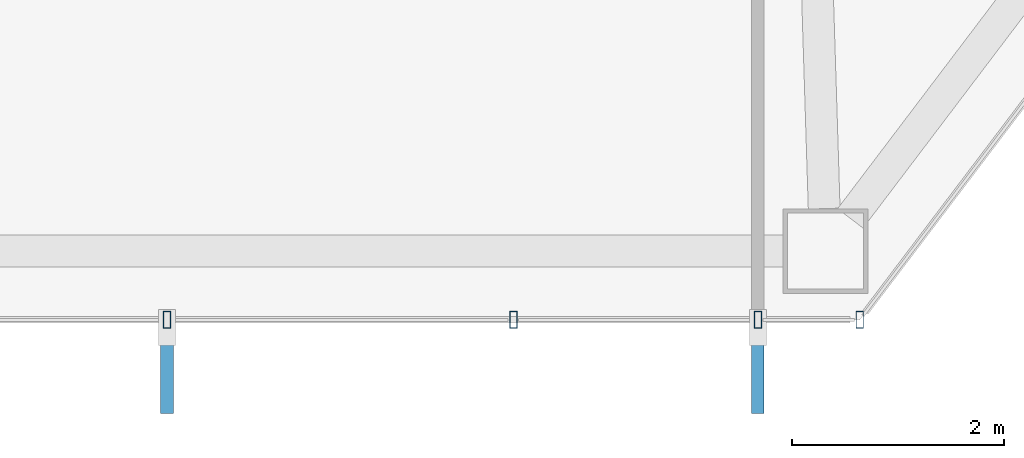
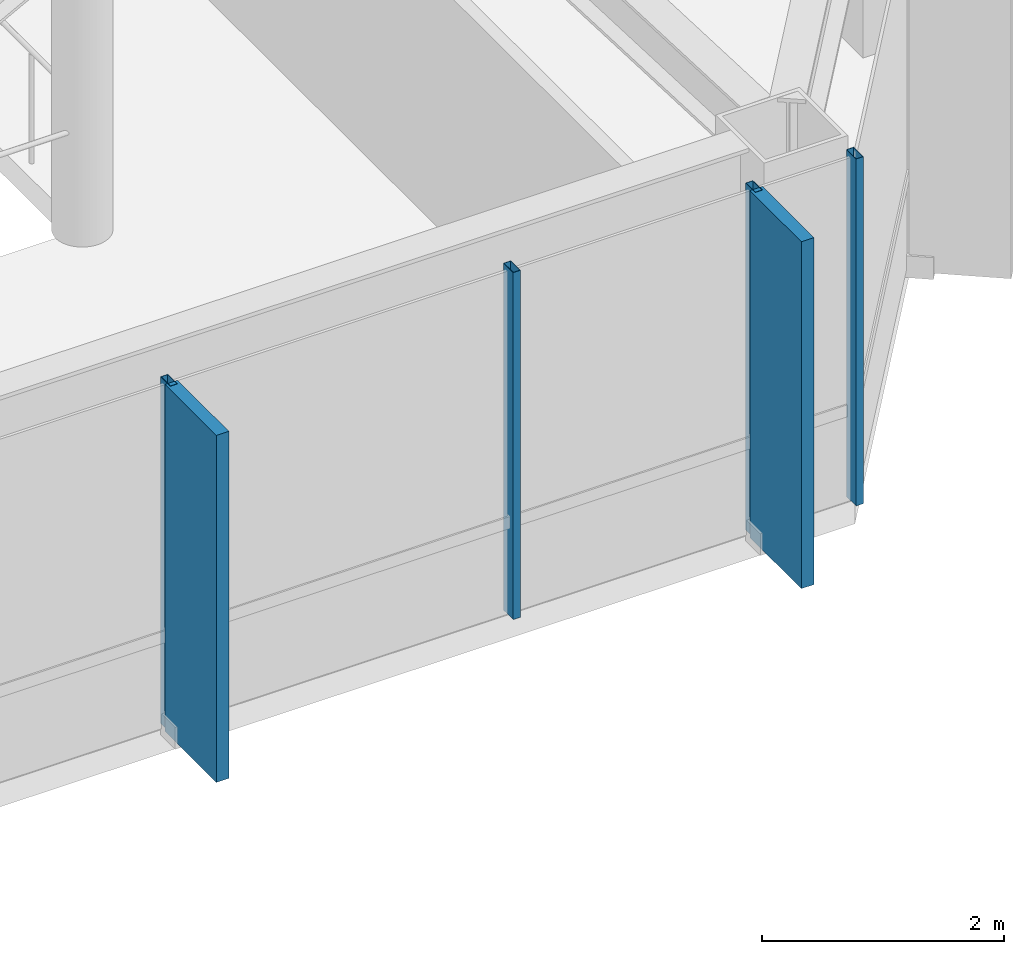
# One storey, part 8 of 28: 6 members, 1 element without a shape of its own.
"""IFC4 building model written with IfcOpenShell, lengths in metres."""

from ifc_helpers import new_model, si_unit, direction, frame, origin, origin_2d, place, context, subcontext, project, spatial, rectangle, hollow_rectangle, extrude, material, layer, layer_set, material_profile, profile_set, type_object, element, aggregate, save


model = new_model("IFC4")

# Units and contexts
model_context = context("Model", 3, precision=1e-05, world=origin(), true_north=direction((0.0, 1.0)))
body_context = subcontext(model_context, "Body", "Model", "MODEL_VIEW")
ifc_project = project(units=[si_unit("LENGTHUNIT", "METRE"), si_unit("AREAUNIT", "SQUARE_METRE"), si_unit("VOLUMEUNIT", "CUBIC_METRE"), si_unit("PLANEANGLEUNIT", "RADIAN"), si_unit("MASSUNIT", "GRAM", prefix="KILO")], contexts=[model_context])

# Site, building, storey
site_placement = place(None, origin())
site = spatial("IfcSite", under=ifc_project, at=site_placement, CompositionType="ELEMENT")
building_placement = place(site_placement, origin())
building = spatial("IfcBuilding", under=site, at=building_placement, Name="Zarrinselat Tower", CompositionType="ELEMENT")
storey_placement = place(building_placement, frame((0.0, 0.0, 149.60009765625)))
storey = spatial("IfcBuildingStorey", under=building, at=storey_placement, Name="L36", CompositionType="ELEMENT", Elevation=149.60009765625)

# Curtain wall, members
ifc_material_1 = material(Name="Extruded Aluminium Alloy EN AW-6063 T6", Category="aluminium")
ifc_layer = layer(ifc_material_1, 0.175048828125)
ifc_layer_set = layer_set([ifc_layer], Name="Extruded Aluminium Alloy EN AW-6063 T6")
curtain_wall_type = type_object("IfcCurtainWallType", Name="CWS-HTL", PredefinedType="NOTDEFINED", material=ifc_layer_set)
curtain_wall_placement = place(storey_placement, origin())
curtain_wall = element("IfcCurtainWall", 1, at=curtain_wall_placement, inside=storey, type_object=curtain_wall_type, Name="L36 Unitised Curtain Wall CW-L36-E04", PredefinedType="NOTDEFINED")
ifc_material_2 = material(Name="Extruded Aluminium Alloy EN AW-6063 T6", Category="aluminium")
ifc_material_profile_1 = material_profile(ifc_material_2, hollow_rectangle(XDim=0.070068359375, YDim=0.159912109375, WallThickness=0.00390625, at=origin_2d()), Name="RHS 160x70x4")
ifc_profile_set_1 = profile_set([ifc_material_profile_1], Name="Extruded Aluminium Alloy EN AW-6063 T6")
member_type_1 = type_object("IfcMemberType", Name="MEM-CW-MUL2", PredefinedType="MULLION", material=ifc_profile_set_1)
member_1_placement = place(storey_placement, frame((40.0361328125, 17.83154296875, 0.0), z_axis=(0.0, 0.0, 1.0), x_axis=(1.0, 0.0, 0.0)))
member_1 = element("IfcMember", 2, at=member_1_placement, type_object=member_type_1, Name="CW-L36-E04 Mullion 3", PredefinedType="MULLION", context=body_context, shape_type="SweptSolid", body=[
    extrude(hollow_rectangle(XDim=0.070068359375, YDim=0.159912109375, WallThickness=0.00390625, at=origin_2d()), origin(), (0.0, 0.0, 1.0), 3.5),
])
member_2_placement = place(storey_placement, frame((43.308349609375, 17.83154296875, 0.0), z_axis=(0.0, 0.0, 1.0), x_axis=(1.0, 0.0, 0.0)))
member_2 = element("IfcMember", 3, at=member_2_placement, type_object=member_type_1, Name="CW-L36-E04 Mullion 4", PredefinedType="MULLION", context=body_context, shape_type="SweptSolid", body=[
    extrude(hollow_rectangle(XDim=0.070068359375, YDim=0.159912109375, WallThickness=0.00390625, at=origin_2d()), origin(), (0.0, 0.0, 1.0), 3.5),
])
member_3_placement = place(storey_placement, frame((45.61865234375, 17.83154296875, 0.0), z_axis=(0.0, 0.0, 1.0), x_axis=(1.0, 0.0, 0.0)))
member_3 = element("IfcMember", 4, at=member_3_placement, type_object=member_type_1, Name="CW-L36-E04 Mullion 5", PredefinedType="MULLION", context=body_context, shape_type="SweptSolid", body=[
    extrude(hollow_rectangle(XDim=0.070068359375, YDim=0.159912109375, WallThickness=0.00390625, at=origin_2d()), origin(), (0.0, 0.0, 1.0), 3.5),
])
member_4_placement = place(storey_placement, frame((46.58056640625, 17.83154296875, 0.0), z_axis=(0.0, 0.0, 1.0), x_axis=(1.0, 0.0, 0.0)))
member_4 = element("IfcMember", 5, at=member_4_placement, type_object=member_type_1, Name="CW-L36-E04 Mullion 6", PredefinedType="MULLION", context=body_context, shape_type="SweptSolid", body=[
    extrude(hollow_rectangle(XDim=0.070068359375, YDim=0.159912109375, WallThickness=0.00390625, at=origin_2d()), origin(), (0.0, 0.0, 1.0), 3.5),
])
ifc_material_3 = material(Name="Honed Cream Travertine Stone", Category="masonry")
ifc_material_profile_2 = material_profile(ifc_material_3, rectangle(XDim=0.1201171875, YDim=0.85009765625, at=origin_2d()), Name="FIN 850x120")
ifc_profile_set_2 = profile_set([ifc_material_profile_2], Name="Honed Cream Travertine Stone")
member_type_2 = type_object("IfcMemberType", Name="MEM-STONE-FIN", PredefinedType="USERDEFINED", material=ifc_profile_set_2)
member_5_placement = place(storey_placement, frame((40.0361328125, 17.37158203125, 0.0), z_axis=(0.0, 0.0, 1.0), x_axis=(-1.0, 0.0, 0.0)))
member_5 = element("IfcMember", 6, at=member_5_placement, type_object=member_type_2, Name="L36 Stone Shading Fin CW-L36-E04-03", ObjectType="FIN", PredefinedType="USERDEFINED", context=body_context, shape_type="SweptSolid", body=[
    extrude(rectangle(XDim=0.1201171875, YDim=0.85009765625, at=origin_2d()), origin(), (0.0, 0.0, 1.0), 3.5),
])
member_6_placement = place(storey_placement, frame((45.61865234375, 17.37158203125, 0.0), z_axis=(0.0, 0.0, 1.0), x_axis=(-1.0, 0.0, 0.0)))
member_6 = element("IfcMember", 7, at=member_6_placement, type_object=member_type_2, Name="L36 Stone Shading Fin CW-L36-E04-05", ObjectType="FIN", PredefinedType="USERDEFINED", context=body_context, shape_type="SweptSolid", body=[
    extrude(rectangle(XDim=0.1201171875, YDim=0.85009765625, at=origin_2d()), origin(), (0.0, 0.0, 1.0), 3.5),
])
aggregate(curtain_wall, [member_1, member_5, member_2, member_3, member_6, member_4])

save(model, "model.ifc")
